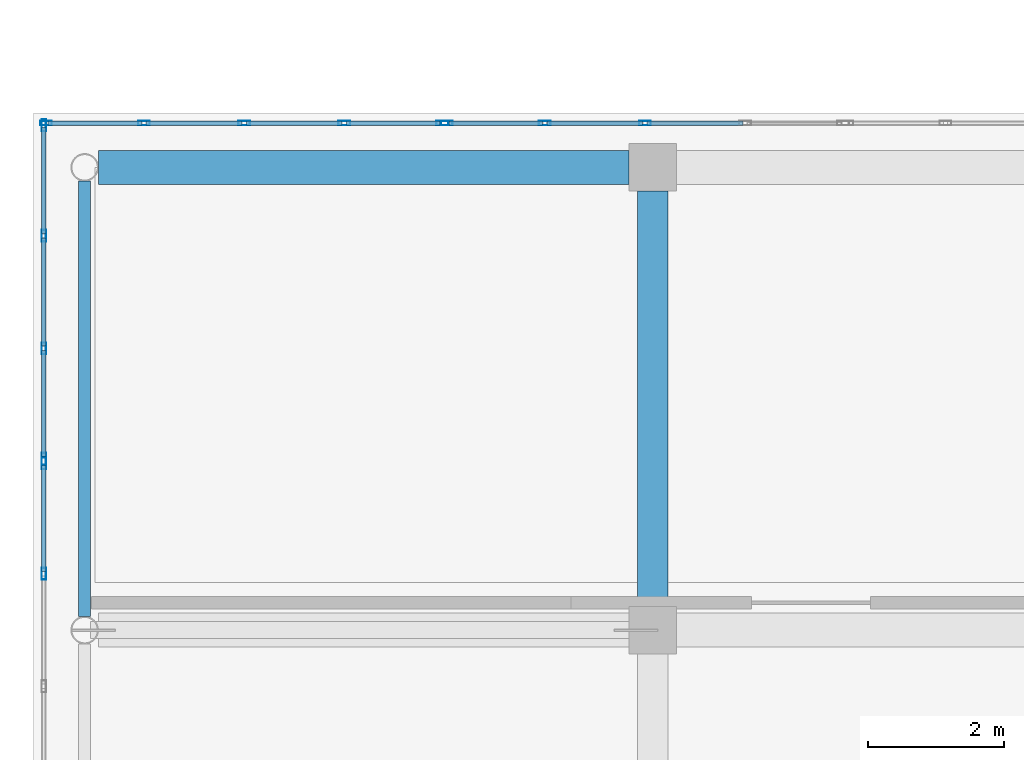
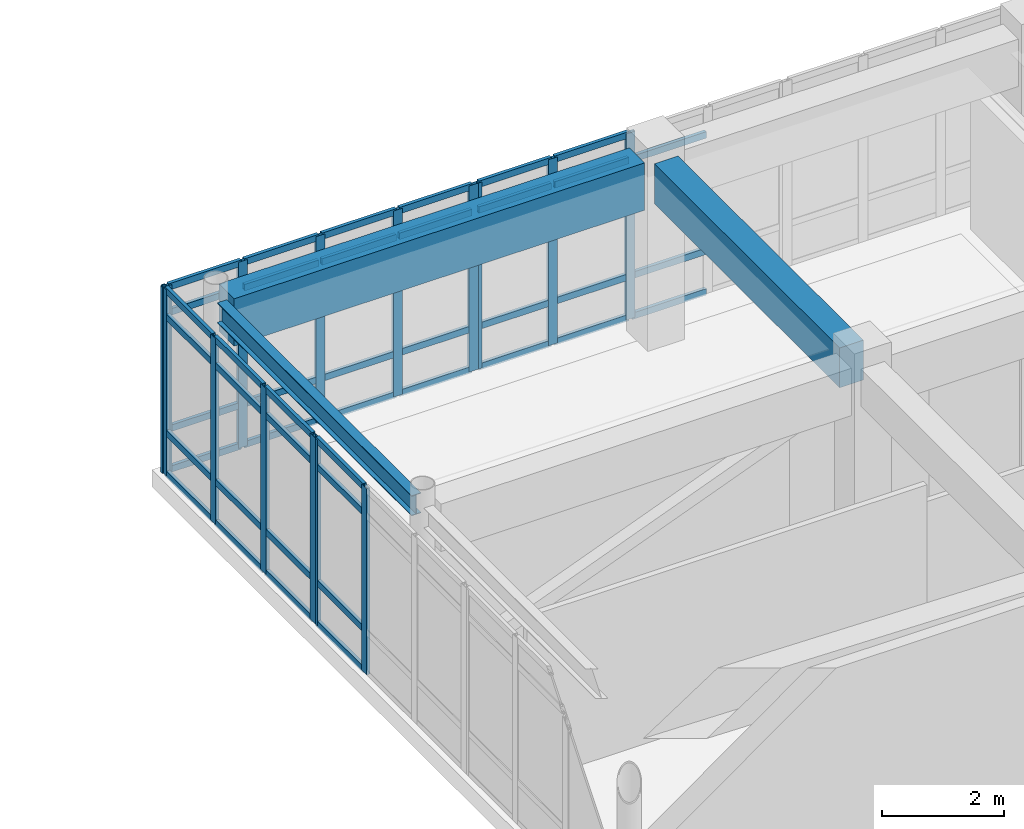
# One storey, part 21 of 146: 57 members, 3 beams, 4 elements without a shape of their own.
"""IFC4 building model written with IfcOpenShell, lengths in metres."""

from ifc_helpers import new_model, si_unit, direction, frame, origin, origin_2d, place, context, subcontext, project, spatial, rectangle, hollow_rectangle, i_section, extrude, material, layer, layer_set, material_profile, profile_set, type_object, element, aggregate, save


model = new_model("IFC4")

# Units and contexts
model_context = context("Model", 3, precision=1e-05, world=origin(), true_north=direction((0.0, 1.0)))
body_context = subcontext(model_context, "Body", "Model", "MODEL_VIEW")
ifc_project = project(units=[si_unit("LENGTHUNIT", "METRE"), si_unit("AREAUNIT", "SQUARE_METRE"), si_unit("VOLUMEUNIT", "CUBIC_METRE"), si_unit("PLANEANGLEUNIT", "RADIAN"), si_unit("MASSUNIT", "GRAM", prefix="KILO")], contexts=[model_context])

# Site, building, storey
site_placement = place(None, origin())
site = spatial("IfcSite", under=ifc_project, at=site_placement, CompositionType="ELEMENT")
building_placement = place(site_placement, origin())
building = spatial("IfcBuilding", under=site, at=building_placement, Name="Valcora Specialist Clinic", CompositionType="ELEMENT")
storey_placement = place(building_placement, frame((0.0, 0.0, 9.52001953125)))
storey = spatial("IfcBuildingStorey", under=building, at=storey_placement, Name="L02", CompositionType="ELEMENT", Elevation=9.52001953125)

# Beams
ifc_material_1 = material(Name="Steel ASTM A992 Grade 50", Category="steel")
ifc_material_profile_1 = material_profile(ifc_material_1, i_section(OverallWidth=0.177978515625, OverallDepth=0.406005859375, WebThickness=0.008056640625, FlangeThickness=0.012939453125, at=origin_2d()), Name="ST-IR-410X180")
ifc_profile_set_1 = profile_set([ifc_material_profile_1], Name="Steel ASTM A992 Grade 50")
beam_type_1 = type_object("IfcBeamType", Name="TY-BM-IR410", PredefinedType="SPANDREL", material=ifc_profile_set_1)
beam_1_placement = place(storey_placement, frame((0.75, 15.403076171875, 3.528076171875), z_axis=(0.0, 1.0, 0.0), x_axis=(-1.0, 0.0, 0.0)))
element("IfcBeam", 1, at=beam_1_placement, inside=storey, type_object=beam_type_1, Name="Beam BM-L02-1010", PredefinedType="SPANDREL", context=body_context, shape_type="SweptSolid", body=[
    extrude(i_section(OverallWidth=0.177978515625, OverallDepth=0.406005859375, WebThickness=0.008056640625, FlangeThickness=0.012939453125, at=origin_2d()), origin(), (0.0, 0.0, 1.0), 6.39404296875),
])
ifc_material_2 = material(Name="Concrete C40/50", Category="concrete")
ifc_material_profile_2 = material_profile(ifc_material_2, rectangle(XDim=0.449951171875, YDim=0.800048828125, at=origin_2d()), Name="RC-BM-450X800")
ifc_profile_set_2 = profile_set([ifc_material_profile_2], Name="Concrete C40/50")
beam_type_2 = type_object("IfcBeamType", Name="TY-BM-RC450X800", PredefinedType="BEAM", material=ifc_profile_set_2)
beam_2_placement = place(storey_placement, frame((9.10009765625, 15.550048828125, 3.3349609375), z_axis=(0.0, 1.0, 0.0), x_axis=(-1.0, 0.0, 0.0)))
element("IfcBeam", 2, at=beam_2_placement, inside=storey, type_object=beam_type_2, Name="Beam BM-L02-1012", PredefinedType="BEAM", context=body_context, shape_type="SweptSolid", body=[
    extrude(rectangle(XDim=0.449951171875, YDim=0.800048828125, at=origin_2d()), origin(), (0.0, 0.0, 1.0), 6.099853515625),
])
ifc_material_profile_3 = material_profile(ifc_material_2, rectangle(XDim=0.5, YDim=0.949951171875, at=origin_2d()), Name="RC-BM-500X950")
ifc_profile_set_3 = profile_set([ifc_material_profile_3], Name="Concrete C40/50")
beam_type_3 = type_object("IfcBeamType", Name="TY-BM-TR500X950", PredefinedType="BEAM", material=ifc_profile_set_3)
beam_3_placement = place(storey_placement, frame((0.952880859375, 22.0, 3.260009765625), z_axis=(1.0, 0.0, 0.0), x_axis=(0.0, 1.0, 0.0)))
element("IfcBeam", 3, at=beam_3_placement, inside=storey, type_object=beam_type_3, Name="Beam BM-L02-1002", PredefinedType="BEAM", context=body_context, shape_type="SweptSolid", body=[
    extrude(rectangle(XDim=0.5, YDim=0.949951171875, at=origin_2d()), origin(), (0.0, 0.0, 1.0), 7.797119140625),
])

# Curtain wall, members
ifc_material_3 = material(Name="Anodized Bronze Aluminium 6063-T6", Category="aluminium")
ifc_layer = layer(ifc_material_3, 0.175048828125)
ifc_layer_set = layer_set([ifc_layer], Name="Anodized Bronze Aluminium 6063-T6")
curtain_wall_type = type_object("IfcCurtainWallType", Name="TY-CW-V5F15", PredefinedType="NOTDEFINED", material=ifc_layer_set)
curtain_wall_1_placement = place(storey_placement, origin())
curtain_wall_1 = element("IfcCurtainWall", 4, at=curtain_wall_1_placement, inside=storey, type_object=curtain_wall_type, Name="Curtain wall CW-L02-141", PredefinedType="NOTDEFINED")
ifc_material_profile_4 = material_profile(ifc_material_3, hollow_rectangle(XDim=0.06494140625, YDim=0.175048828125, WallThickness=0.00390625, at=origin_2d()), Name="AL-MUL-65X175")
ifc_profile_set_4 = profile_set([ifc_material_profile_4], Name="Anodized Bronze Aluminium 6063-T6")
member_type_1 = type_object("IfcMemberType", Name="TY-CWM-65X175", PredefinedType="MULLION", material=ifc_profile_set_4)
member_1_placement = place(storey_placement, frame((0.14990234375, 16.02783203125, 0.0), z_axis=(0.0, 0.0, 1.0), x_axis=(-1.0, 0.0, 0.0)))
member_1 = element("IfcMember", 5, at=member_1_placement, type_object=member_type_1, Name="CW-V5F-15 mullion 3", PredefinedType="MULLION", context=body_context, shape_type="SweptSolid", body=[
    extrude(hollow_rectangle(XDim=0.06494140625, YDim=0.175048828125, WallThickness=0.00390625, at=origin_2d()), origin(), (0.0, 0.0, 1.0), 3.73486328125),
])
member_2_placement = place(storey_placement, frame((0.14990234375, 17.65087890625, 0.0), z_axis=(0.0, 0.0, 1.0), x_axis=(-1.0, 0.0, 0.0)))
member_2 = element("IfcMember", 6, at=member_2_placement, type_object=member_type_1, Name="CW-V5F-15 mullion 4", PredefinedType="MULLION", context=body_context, shape_type="SweptSolid", body=[
    extrude(hollow_rectangle(XDim=0.06494140625, YDim=0.175048828125, WallThickness=0.00390625, at=origin_2d()), origin(), (0.0, 0.0, 1.0), 3.73486328125),
])

curtain_wall_2_placement = place(storey_placement, origin())
curtain_wall_2 = element("IfcCurtainWall", 7, at=curtain_wall_2_placement, inside=storey, type_object=curtain_wall_type, Name="Curtain wall CW-L02-142", PredefinedType="NOTDEFINED")
member_3_placement = place(storey_placement, frame((0.14990234375, 17.7158203125, 0.0), z_axis=(0.0, 0.0, 1.0), x_axis=(-1.0, 0.0, 0.0)))
member_3 = element("IfcMember", 8, at=member_3_placement, type_object=member_type_1, Name="CW-V5F-15 mullion 1", PredefinedType="MULLION", context=body_context, shape_type="SweptSolid", body=[
    extrude(hollow_rectangle(XDim=0.06494140625, YDim=0.175048828125, WallThickness=0.00390625, at=origin_2d()), origin(), (0.0, 0.0, 1.0), 3.73486328125),
])
member_4_placement = place(storey_placement, frame((0.14990234375, 19.3388671875, 0.0), z_axis=(0.0, 0.0, 1.0), x_axis=(-1.0, 0.0, 0.0)))
member_4 = element("IfcMember", 9, at=member_4_placement, type_object=member_type_1, Name="CW-V5F-15 mullion 2", PredefinedType="MULLION", context=body_context, shape_type="SweptSolid", body=[
    extrude(hollow_rectangle(XDim=0.06494140625, YDim=0.175048828125, WallThickness=0.00390625, at=origin_2d()), origin(), (0.0, 0.0, 1.0), 3.73486328125),
])
member_5_placement = place(storey_placement, frame((0.14990234375, 20.994384765625, 0.0), z_axis=(0.0, 0.0, 1.0), x_axis=(-1.0, 0.0, 0.0)))
member_5 = element("IfcMember", 10, at=member_5_placement, type_object=member_type_1, Name="CW-V5F-15 mullion 3", PredefinedType="MULLION", context=body_context, shape_type="SweptSolid", body=[
    extrude(hollow_rectangle(XDim=0.06494140625, YDim=0.175048828125, WallThickness=0.00390625, at=origin_2d()), origin(), (0.0, 0.0, 1.0), 3.73486328125),
])
member_6_placement = place(storey_placement, frame((0.14990234375, 22.617431640625, 0.0), z_axis=(0.0, 0.0, 1.0), x_axis=(-1.0, 0.0, 0.0)))
member_6 = element("IfcMember", 11, at=member_6_placement, type_object=member_type_1, Name="CW-V5F-15 mullion 4", PredefinedType="MULLION", context=body_context, shape_type="SweptSolid", body=[
    extrude(hollow_rectangle(XDim=0.06494140625, YDim=0.175048828125, WallThickness=0.00390625, at=origin_2d()), origin(), (0.0, 0.0, 1.0), 3.73486328125),
])

curtain_wall_3_placement = place(storey_placement, origin())
curtain_wall_3 = element("IfcCurtainWall", 12, at=curtain_wall_3_placement, inside=storey, type_object=curtain_wall_type, Name="Curtain wall CW-L02-143", PredefinedType="NOTDEFINED")
member_7_placement = place(storey_placement, frame((0.1826171875, 22.64990234375, 0.0), z_axis=(0.0, 0.0, 1.0), x_axis=(0.0, 1.0, 0.0)))
member_7 = element("IfcMember", 13, at=member_7_placement, type_object=member_type_1, Name="CW-V5F-15 mullion 1", PredefinedType="MULLION", context=body_context, shape_type="SweptSolid", body=[
    extrude(hollow_rectangle(XDim=0.06494140625, YDim=0.175048828125, WallThickness=0.00390625, at=origin_2d()), origin(), (0.0, 0.0, 1.0), 3.73486328125),
])
member_8_placement = place(storey_placement, frame((1.622314453125, 22.64990234375, 0.0), z_axis=(0.0, 0.0, 1.0), x_axis=(0.0, 1.0, 0.0)))
member_8 = element("IfcMember", 14, at=member_8_placement, type_object=member_type_1, Name="CW-V5F-15 mullion 2", PredefinedType="MULLION", context=body_context, shape_type="SweptSolid", body=[
    extrude(hollow_rectangle(XDim=0.06494140625, YDim=0.175048828125, WallThickness=0.00390625, at=origin_2d()), origin(), (0.0, 0.0, 1.0), 3.73486328125),
])
member_9_placement = place(storey_placement, frame((3.094482421875, 22.64990234375, 0.0), z_axis=(0.0, 0.0, 1.0), x_axis=(0.0, 1.0, 0.0)))
member_9 = element("IfcMember", 15, at=member_9_placement, type_object=member_type_1, Name="CW-V5F-15 mullion 3", PredefinedType="MULLION", context=body_context, shape_type="SweptSolid", body=[
    extrude(hollow_rectangle(XDim=0.06494140625, YDim=0.175048828125, WallThickness=0.00390625, at=origin_2d()), origin(), (0.0, 0.0, 1.0), 3.73486328125),
])
member_10_placement = place(storey_placement, frame((4.566650390625, 22.64990234375, 0.0), z_axis=(0.0, 0.0, 1.0), x_axis=(0.0, 1.0, 0.0)))
member_10 = element("IfcMember", 16, at=member_10_placement, type_object=member_type_1, Name="CW-V5F-15 mullion 4", PredefinedType="MULLION", context=body_context, shape_type="SweptSolid", body=[
    extrude(hollow_rectangle(XDim=0.06494140625, YDim=0.175048828125, WallThickness=0.00390625, at=origin_2d()), origin(), (0.0, 0.0, 1.0), 3.73486328125),
])
member_11_placement = place(storey_placement, frame((6.00634765625, 22.64990234375, 0.0), z_axis=(0.0, 0.0, 1.0), x_axis=(0.0, 1.0, 0.0)))
member_11 = element("IfcMember", 17, at=member_11_placement, type_object=member_type_1, Name="CW-V5F-15 mullion 5", PredefinedType="MULLION", context=body_context, shape_type="SweptSolid", body=[
    extrude(hollow_rectangle(XDim=0.06494140625, YDim=0.175048828125, WallThickness=0.00390625, at=origin_2d()), origin(), (0.0, 0.0, 1.0), 3.73486328125),
])

curtain_wall_4_placement = place(storey_placement, origin())
curtain_wall_4 = element("IfcCurtainWall", 18, at=curtain_wall_4_placement, inside=storey, type_object=curtain_wall_type, Name="Curtain wall CW-L02-144", PredefinedType="NOTDEFINED")
member_12_placement = place(storey_placement, frame((6.0712890625, 22.64990234375, 0.0), z_axis=(0.0, 0.0, 1.0), x_axis=(0.0, 1.0, 0.0)))
member_12 = element("IfcMember", 19, at=member_12_placement, type_object=member_type_1, Name="CW-V5F-15 mullion 1", PredefinedType="MULLION", context=body_context, shape_type="SweptSolid", body=[
    extrude(hollow_rectangle(XDim=0.06494140625, YDim=0.175048828125, WallThickness=0.00390625, at=origin_2d()), origin(), (0.0, 0.0, 1.0), 3.73486328125),
])
member_13_placement = place(storey_placement, frame((7.51123046875, 22.64990234375, 0.0), z_axis=(0.0, 0.0, 1.0), x_axis=(0.0, 1.0, 0.0)))
member_13 = element("IfcMember", 20, at=member_13_placement, type_object=member_type_1, Name="CW-V5F-15 mullion 2", PredefinedType="MULLION", context=body_context, shape_type="SweptSolid", body=[
    extrude(hollow_rectangle(XDim=0.06494140625, YDim=0.175048828125, WallThickness=0.00390625, at=origin_2d()), origin(), (0.0, 0.0, 1.0), 3.73486328125),
])
member_14_placement = place(storey_placement, frame((8.9833984375, 22.64990234375, 0.0), z_axis=(0.0, 0.0, 1.0), x_axis=(0.0, 1.0, 0.0)))
member_14 = element("IfcMember", 21, at=member_14_placement, type_object=member_type_1, Name="CW-V5F-15 mullion 3", PredefinedType="MULLION", context=body_context, shape_type="SweptSolid", body=[
    extrude(hollow_rectangle(XDim=0.06494140625, YDim=0.175048828125, WallThickness=0.00390625, at=origin_2d()), origin(), (0.0, 0.0, 1.0), 3.73486328125),
])

# Member
ifc_material_profile_5 = material_profile(ifc_material_3, hollow_rectangle(XDim=0.06494140625, YDim=0.1298828125, WallThickness=0.00390625, at=origin_2d()), Name="AL-TRN-65X130")
ifc_profile_set_5 = profile_set([ifc_material_profile_5], Name="Anodized Bronze Aluminium 6063-T6")
member_type_2 = type_object("IfcMemberType", Name="TY-CWT-65X130", PredefinedType="USERDEFINED", material=ifc_profile_set_5)
member_15_placement = place(storey_placement, frame((0.14990234375, 16.060302734375, 0.032470703125), z_axis=(0.0, 1.0, 0.0), x_axis=(-1.0, 0.0, 0.0)))
member_15 = element("IfcMember", 22, at=member_15_placement, type_object=member_type_2, Name="CW-V5F-15 transom 3.1", ObjectType="TRANSOM", PredefinedType="USERDEFINED", context=body_context, shape_type="SweptSolid", body=[
    extrude(hollow_rectangle(XDim=0.06494140625, YDim=0.1298828125, WallThickness=0.00390625, at=origin_2d()), origin(), (0.0, 0.0, 1.0), 1.55810546875),
])

member_16_placement = place(storey_placement, frame((0.14990234375, 16.060302734375, 0.85009765625), z_axis=(0.0, 1.0, 0.0), x_axis=(-1.0, 0.0, 0.0)))
member_16 = element("IfcMember", 23, at=member_16_placement, type_object=member_type_2, Name="CW-V5F-15 transom 3.2", ObjectType="TRANSOM", PredefinedType="USERDEFINED", context=body_context, shape_type="SweptSolid", body=[
    extrude(hollow_rectangle(XDim=0.06494140625, YDim=0.1298828125, WallThickness=0.00390625, at=origin_2d()), origin(), (0.0, 0.0, 1.0), 1.55810546875),
])

member_17_placement = place(storey_placement, frame((0.14990234375, 16.060302734375, 3.18505859375), z_axis=(0.0, 1.0, 0.0), x_axis=(-1.0, 0.0, 0.0)))
member_17 = element("IfcMember", 24, at=member_17_placement, type_object=member_type_2, Name="CW-V5F-15 transom 3.3", ObjectType="TRANSOM", PredefinedType="USERDEFINED", context=body_context, shape_type="SweptSolid", body=[
    extrude(hollow_rectangle(XDim=0.06494140625, YDim=0.1298828125, WallThickness=0.00390625, at=origin_2d()), origin(), (0.0, 0.0, 1.0), 1.55810546875),
])

member_18_placement = place(storey_placement, frame((0.14990234375, 16.060302734375, 3.702392578125), z_axis=(0.0, 1.0, 0.0), x_axis=(-1.0, 0.0, 0.0)))
member_18 = element("IfcMember", 25, at=member_18_placement, type_object=member_type_2, Name="CW-V5F-15 transom 3.4", ObjectType="TRANSOM", PredefinedType="USERDEFINED", context=body_context, shape_type="SweptSolid", body=[
    extrude(hollow_rectangle(XDim=0.06494140625, YDim=0.1298828125, WallThickness=0.00390625, at=origin_2d()), origin(), (0.0, 0.0, 1.0), 1.55810546875),
])

aggregate(curtain_wall_1, [member_1, member_2, member_15, member_16, member_17, member_18])

member_19_placement = place(storey_placement, frame((0.14990234375, 17.748291015625, 0.032470703125), z_axis=(0.0, 1.0, 0.0), x_axis=(-1.0, 0.0, 0.0)))
member_19 = element("IfcMember", 26, at=member_19_placement, type_object=member_type_2, Name="CW-V5F-15 transom 1.1", ObjectType="TRANSOM", PredefinedType="USERDEFINED", context=body_context, shape_type="SweptSolid", body=[
    extrude(hollow_rectangle(XDim=0.06494140625, YDim=0.1298828125, WallThickness=0.00390625, at=origin_2d()), origin(), (0.0, 0.0, 1.0), 1.55810546875),
])

member_20_placement = place(storey_placement, frame((0.14990234375, 17.748291015625, 0.85009765625), z_axis=(0.0, 1.0, 0.0), x_axis=(-1.0, 0.0, 0.0)))
member_20 = element("IfcMember", 27, at=member_20_placement, type_object=member_type_2, Name="CW-V5F-15 transom 1.2", ObjectType="TRANSOM", PredefinedType="USERDEFINED", context=body_context, shape_type="SweptSolid", body=[
    extrude(hollow_rectangle(XDim=0.06494140625, YDim=0.1298828125, WallThickness=0.00390625, at=origin_2d()), origin(), (0.0, 0.0, 1.0), 1.55810546875),
])

member_21_placement = place(storey_placement, frame((0.14990234375, 17.748291015625, 3.18505859375), z_axis=(0.0, 1.0, 0.0), x_axis=(-1.0, 0.0, 0.0)))
member_21 = element("IfcMember", 28, at=member_21_placement, type_object=member_type_2, Name="CW-V5F-15 transom 1.3", ObjectType="TRANSOM", PredefinedType="USERDEFINED", context=body_context, shape_type="SweptSolid", body=[
    extrude(hollow_rectangle(XDim=0.06494140625, YDim=0.1298828125, WallThickness=0.00390625, at=origin_2d()), origin(), (0.0, 0.0, 1.0), 1.55810546875),
])

member_22_placement = place(storey_placement, frame((0.14990234375, 17.748291015625, 3.702392578125), z_axis=(0.0, 1.0, 0.0), x_axis=(-1.0, 0.0, 0.0)))
member_22 = element("IfcMember", 29, at=member_22_placement, type_object=member_type_2, Name="CW-V5F-15 transom 1.4", ObjectType="TRANSOM", PredefinedType="USERDEFINED", context=body_context, shape_type="SweptSolid", body=[
    extrude(hollow_rectangle(XDim=0.06494140625, YDim=0.1298828125, WallThickness=0.00390625, at=origin_2d()), origin(), (0.0, 0.0, 1.0), 1.55810546875),
])

member_23_placement = place(storey_placement, frame((0.14990234375, 19.371337890625, 0.032470703125), z_axis=(0.0, 1.0, 0.0), x_axis=(-1.0, 0.0, 0.0)))
member_23 = element("IfcMember", 30, at=member_23_placement, type_object=member_type_2, Name="CW-V5F-15 transom 2.1", ObjectType="TRANSOM", PredefinedType="USERDEFINED", context=body_context, shape_type="SweptSolid", body=[
    extrude(hollow_rectangle(XDim=0.06494140625, YDim=0.1298828125, WallThickness=0.00390625, at=origin_2d()), origin(), (0.0, 0.0, 1.0), 1.590576171875),
])

member_24_placement = place(storey_placement, frame((0.14990234375, 19.371337890625, 0.85009765625), z_axis=(0.0, 1.0, 0.0), x_axis=(-1.0, 0.0, 0.0)))
member_24 = element("IfcMember", 31, at=member_24_placement, type_object=member_type_2, Name="CW-V5F-15 transom 2.2", ObjectType="TRANSOM", PredefinedType="USERDEFINED", context=body_context, shape_type="SweptSolid", body=[
    extrude(hollow_rectangle(XDim=0.06494140625, YDim=0.1298828125, WallThickness=0.00390625, at=origin_2d()), origin(), (0.0, 0.0, 1.0), 1.590576171875),
])

member_25_placement = place(storey_placement, frame((0.14990234375, 19.371337890625, 3.18505859375), z_axis=(0.0, 1.0, 0.0), x_axis=(-1.0, 0.0, 0.0)))
member_25 = element("IfcMember", 32, at=member_25_placement, type_object=member_type_2, Name="CW-V5F-15 transom 2.3", ObjectType="TRANSOM", PredefinedType="USERDEFINED", context=body_context, shape_type="SweptSolid", body=[
    extrude(hollow_rectangle(XDim=0.06494140625, YDim=0.1298828125, WallThickness=0.00390625, at=origin_2d()), origin(), (0.0, 0.0, 1.0), 1.590576171875),
])

member_26_placement = place(storey_placement, frame((0.14990234375, 19.371337890625, 3.702392578125), z_axis=(0.0, 1.0, 0.0), x_axis=(-1.0, 0.0, 0.0)))
member_26 = element("IfcMember", 33, at=member_26_placement, type_object=member_type_2, Name="CW-V5F-15 transom 2.4", ObjectType="TRANSOM", PredefinedType="USERDEFINED", context=body_context, shape_type="SweptSolid", body=[
    extrude(hollow_rectangle(XDim=0.06494140625, YDim=0.1298828125, WallThickness=0.00390625, at=origin_2d()), origin(), (0.0, 0.0, 1.0), 1.590576171875),
])

member_27_placement = place(storey_placement, frame((0.14990234375, 21.02685546875, 0.032470703125), z_axis=(0.0, 1.0, 0.0), x_axis=(-1.0, 0.0, 0.0)))
member_27 = element("IfcMember", 34, at=member_27_placement, type_object=member_type_2, Name="CW-V5F-15 transom 3.1", ObjectType="TRANSOM", PredefinedType="USERDEFINED", context=body_context, shape_type="SweptSolid", body=[
    extrude(hollow_rectangle(XDim=0.06494140625, YDim=0.1298828125, WallThickness=0.00390625, at=origin_2d()), origin(), (0.0, 0.0, 1.0), 1.55810546875),
])

member_28_placement = place(storey_placement, frame((0.14990234375, 21.02685546875, 0.85009765625), z_axis=(0.0, 1.0, 0.0), x_axis=(-1.0, 0.0, 0.0)))
member_28 = element("IfcMember", 35, at=member_28_placement, type_object=member_type_2, Name="CW-V5F-15 transom 3.2", ObjectType="TRANSOM", PredefinedType="USERDEFINED", context=body_context, shape_type="SweptSolid", body=[
    extrude(hollow_rectangle(XDim=0.06494140625, YDim=0.1298828125, WallThickness=0.00390625, at=origin_2d()), origin(), (0.0, 0.0, 1.0), 1.55810546875),
])

member_29_placement = place(storey_placement, frame((0.14990234375, 21.02685546875, 3.18505859375), z_axis=(0.0, 1.0, 0.0), x_axis=(-1.0, 0.0, 0.0)))
member_29 = element("IfcMember", 36, at=member_29_placement, type_object=member_type_2, Name="CW-V5F-15 transom 3.3", ObjectType="TRANSOM", PredefinedType="USERDEFINED", context=body_context, shape_type="SweptSolid", body=[
    extrude(hollow_rectangle(XDim=0.06494140625, YDim=0.1298828125, WallThickness=0.00390625, at=origin_2d()), origin(), (0.0, 0.0, 1.0), 1.55810546875),
])

member_30_placement = place(storey_placement, frame((0.14990234375, 21.02685546875, 3.702392578125), z_axis=(0.0, 1.0, 0.0), x_axis=(-1.0, 0.0, 0.0)))
member_30 = element("IfcMember", 37, at=member_30_placement, type_object=member_type_2, Name="CW-V5F-15 transom 3.4", ObjectType="TRANSOM", PredefinedType="USERDEFINED", context=body_context, shape_type="SweptSolid", body=[
    extrude(hollow_rectangle(XDim=0.06494140625, YDim=0.1298828125, WallThickness=0.00390625, at=origin_2d()), origin(), (0.0, 0.0, 1.0), 1.55810546875),
])

aggregate(curtain_wall_2, [member_3, member_4, member_5, member_6, member_19, member_20, member_21, member_22, member_23, member_24, member_25, member_26, member_27, member_28, member_29, member_30])

member_31_placement = place(storey_placement, frame((0.215087890625, 22.64990234375, 0.032470703125), z_axis=(1.0, 0.0, 0.0), x_axis=(0.0, 1.0, 0.0)))
member_31 = element("IfcMember", 38, at=member_31_placement, type_object=member_type_2, Name="CW-V5F-15 transom 1.1", ObjectType="TRANSOM", PredefinedType="USERDEFINED", context=body_context, shape_type="SweptSolid", body=[
    extrude(hollow_rectangle(XDim=0.06494140625, YDim=0.1298828125, WallThickness=0.00390625, at=origin_2d()), origin(), (0.0, 0.0, 1.0), 1.374755859375),
])

member_32_placement = place(storey_placement, frame((0.215087890625, 22.64990234375, 0.85009765625), z_axis=(1.0, 0.0, 0.0), x_axis=(0.0, 1.0, 0.0)))
member_32 = element("IfcMember", 39, at=member_32_placement, type_object=member_type_2, Name="CW-V5F-15 transom 1.2", ObjectType="TRANSOM", PredefinedType="USERDEFINED", context=body_context, shape_type="SweptSolid", body=[
    extrude(hollow_rectangle(XDim=0.06494140625, YDim=0.1298828125, WallThickness=0.00390625, at=origin_2d()), origin(), (0.0, 0.0, 1.0), 1.374755859375),
])

member_33_placement = place(storey_placement, frame((0.215087890625, 22.64990234375, 3.18505859375), z_axis=(1.0, 0.0, 0.0), x_axis=(0.0, 1.0, 0.0)))
member_33 = element("IfcMember", 40, at=member_33_placement, type_object=member_type_2, Name="CW-V5F-15 transom 1.3", ObjectType="TRANSOM", PredefinedType="USERDEFINED", context=body_context, shape_type="SweptSolid", body=[
    extrude(hollow_rectangle(XDim=0.06494140625, YDim=0.1298828125, WallThickness=0.00390625, at=origin_2d()), origin(), (0.0, 0.0, 1.0), 1.374755859375),
])

member_34_placement = place(storey_placement, frame((0.215087890625, 22.64990234375, 3.702392578125), z_axis=(1.0, 0.0, 0.0), x_axis=(0.0, 1.0, 0.0)))
member_34 = element("IfcMember", 41, at=member_34_placement, type_object=member_type_2, Name="CW-V5F-15 transom 1.4", ObjectType="TRANSOM", PredefinedType="USERDEFINED", context=body_context, shape_type="SweptSolid", body=[
    extrude(hollow_rectangle(XDim=0.06494140625, YDim=0.1298828125, WallThickness=0.00390625, at=origin_2d()), origin(), (0.0, 0.0, 1.0), 1.374755859375),
])

member_35_placement = place(storey_placement, frame((1.65478515625, 22.64990234375, 0.032470703125), z_axis=(1.0, 0.0, 0.0), x_axis=(0.0, 1.0, 0.0)))
member_35 = element("IfcMember", 42, at=member_35_placement, type_object=member_type_2, Name="CW-V5F-15 transom 2.1", ObjectType="TRANSOM", PredefinedType="USERDEFINED", context=body_context, shape_type="SweptSolid", body=[
    extrude(hollow_rectangle(XDim=0.06494140625, YDim=0.1298828125, WallThickness=0.00390625, at=origin_2d()), origin(), (0.0, 0.0, 1.0), 1.4072265625),
])

member_36_placement = place(storey_placement, frame((1.65478515625, 22.64990234375, 0.85009765625), z_axis=(1.0, 0.0, 0.0), x_axis=(0.0, 1.0, 0.0)))
member_36 = element("IfcMember", 43, at=member_36_placement, type_object=member_type_2, Name="CW-V5F-15 transom 2.2", ObjectType="TRANSOM", PredefinedType="USERDEFINED", context=body_context, shape_type="SweptSolid", body=[
    extrude(hollow_rectangle(XDim=0.06494140625, YDim=0.1298828125, WallThickness=0.00390625, at=origin_2d()), origin(), (0.0, 0.0, 1.0), 1.4072265625),
])

member_37_placement = place(storey_placement, frame((1.65478515625, 22.64990234375, 3.18505859375), z_axis=(1.0, 0.0, 0.0), x_axis=(0.0, 1.0, 0.0)))
member_37 = element("IfcMember", 44, at=member_37_placement, type_object=member_type_2, Name="CW-V5F-15 transom 2.3", ObjectType="TRANSOM", PredefinedType="USERDEFINED", context=body_context, shape_type="SweptSolid", body=[
    extrude(hollow_rectangle(XDim=0.06494140625, YDim=0.1298828125, WallThickness=0.00390625, at=origin_2d()), origin(), (0.0, 0.0, 1.0), 1.4072265625),
])

member_38_placement = place(storey_placement, frame((1.65478515625, 22.64990234375, 3.702392578125), z_axis=(1.0, 0.0, 0.0), x_axis=(0.0, 1.0, 0.0)))
member_38 = element("IfcMember", 45, at=member_38_placement, type_object=member_type_2, Name="CW-V5F-15 transom 2.4", ObjectType="TRANSOM", PredefinedType="USERDEFINED", context=body_context, shape_type="SweptSolid", body=[
    extrude(hollow_rectangle(XDim=0.06494140625, YDim=0.1298828125, WallThickness=0.00390625, at=origin_2d()), origin(), (0.0, 0.0, 1.0), 1.4072265625),
])

member_39_placement = place(storey_placement, frame((3.126953125, 22.64990234375, 0.032470703125), z_axis=(1.0, 0.0, 0.0), x_axis=(0.0, 1.0, 0.0)))
member_39 = element("IfcMember", 46, at=member_39_placement, type_object=member_type_2, Name="CW-V5F-15 transom 3.1", ObjectType="TRANSOM", PredefinedType="USERDEFINED", context=body_context, shape_type="SweptSolid", body=[
    extrude(hollow_rectangle(XDim=0.06494140625, YDim=0.1298828125, WallThickness=0.00390625, at=origin_2d()), origin(), (0.0, 0.0, 1.0), 1.4072265625),
])

member_40_placement = place(storey_placement, frame((3.126953125, 22.64990234375, 0.85009765625), z_axis=(1.0, 0.0, 0.0), x_axis=(0.0, 1.0, 0.0)))
member_40 = element("IfcMember", 47, at=member_40_placement, type_object=member_type_2, Name="CW-V5F-15 transom 3.2", ObjectType="TRANSOM", PredefinedType="USERDEFINED", context=body_context, shape_type="SweptSolid", body=[
    extrude(hollow_rectangle(XDim=0.06494140625, YDim=0.1298828125, WallThickness=0.00390625, at=origin_2d()), origin(), (0.0, 0.0, 1.0), 1.4072265625),
])

member_41_placement = place(storey_placement, frame((3.126953125, 22.64990234375, 3.18505859375), z_axis=(1.0, 0.0, 0.0), x_axis=(0.0, 1.0, 0.0)))
member_41 = element("IfcMember", 48, at=member_41_placement, type_object=member_type_2, Name="CW-V5F-15 transom 3.3", ObjectType="TRANSOM", PredefinedType="USERDEFINED", context=body_context, shape_type="SweptSolid", body=[
    extrude(hollow_rectangle(XDim=0.06494140625, YDim=0.1298828125, WallThickness=0.00390625, at=origin_2d()), origin(), (0.0, 0.0, 1.0), 1.4072265625),
])

member_42_placement = place(storey_placement, frame((3.126953125, 22.64990234375, 3.702392578125), z_axis=(1.0, 0.0, 0.0), x_axis=(0.0, 1.0, 0.0)))
member_42 = element("IfcMember", 49, at=member_42_placement, type_object=member_type_2, Name="CW-V5F-15 transom 3.4", ObjectType="TRANSOM", PredefinedType="USERDEFINED", context=body_context, shape_type="SweptSolid", body=[
    extrude(hollow_rectangle(XDim=0.06494140625, YDim=0.1298828125, WallThickness=0.00390625, at=origin_2d()), origin(), (0.0, 0.0, 1.0), 1.4072265625),
])

member_43_placement = place(storey_placement, frame((4.59912109375, 22.64990234375, 0.032470703125), z_axis=(1.0, 0.0, 0.0), x_axis=(0.0, 1.0, 0.0)))
member_43 = element("IfcMember", 50, at=member_43_placement, type_object=member_type_2, Name="CW-V5F-15 transom 4.1", ObjectType="TRANSOM", PredefinedType="USERDEFINED", context=body_context, shape_type="SweptSolid", body=[
    extrude(hollow_rectangle(XDim=0.06494140625, YDim=0.1298828125, WallThickness=0.00390625, at=origin_2d()), origin(), (0.0, 0.0, 1.0), 1.374755859375),
])

member_44_placement = place(storey_placement, frame((4.59912109375, 22.64990234375, 0.85009765625), z_axis=(1.0, 0.0, 0.0), x_axis=(0.0, 1.0, 0.0)))
member_44 = element("IfcMember", 51, at=member_44_placement, type_object=member_type_2, Name="CW-V5F-15 transom 4.2", ObjectType="TRANSOM", PredefinedType="USERDEFINED", context=body_context, shape_type="SweptSolid", body=[
    extrude(hollow_rectangle(XDim=0.06494140625, YDim=0.1298828125, WallThickness=0.00390625, at=origin_2d()), origin(), (0.0, 0.0, 1.0), 1.374755859375),
])

member_45_placement = place(storey_placement, frame((4.59912109375, 22.64990234375, 3.18505859375), z_axis=(1.0, 0.0, 0.0), x_axis=(0.0, 1.0, 0.0)))
member_45 = element("IfcMember", 52, at=member_45_placement, type_object=member_type_2, Name="CW-V5F-15 transom 4.3", ObjectType="TRANSOM", PredefinedType="USERDEFINED", context=body_context, shape_type="SweptSolid", body=[
    extrude(hollow_rectangle(XDim=0.06494140625, YDim=0.1298828125, WallThickness=0.00390625, at=origin_2d()), origin(), (0.0, 0.0, 1.0), 1.374755859375),
])

member_46_placement = place(storey_placement, frame((4.59912109375, 22.64990234375, 3.702392578125), z_axis=(1.0, 0.0, 0.0), x_axis=(0.0, 1.0, 0.0)))
member_46 = element("IfcMember", 53, at=member_46_placement, type_object=member_type_2, Name="CW-V5F-15 transom 4.4", ObjectType="TRANSOM", PredefinedType="USERDEFINED", context=body_context, shape_type="SweptSolid", body=[
    extrude(hollow_rectangle(XDim=0.06494140625, YDim=0.1298828125, WallThickness=0.00390625, at=origin_2d()), origin(), (0.0, 0.0, 1.0), 1.374755859375),
])

aggregate(curtain_wall_3, [member_7, member_8, member_9, member_10, member_11, member_31, member_32, member_33, member_34, member_35, member_36, member_37, member_38, member_39, member_40, member_41, member_42, member_43, member_44, member_45, member_46])

member_47_placement = place(storey_placement, frame((6.10400390625, 22.64990234375, 0.032470703125), z_axis=(1.0, 0.0, 0.0), x_axis=(0.0, 1.0, 0.0)))
member_47 = element("IfcMember", 54, at=member_47_placement, type_object=member_type_2, Name="CW-V5F-15 transom 1.1", ObjectType="TRANSOM", PredefinedType="USERDEFINED", context=body_context, shape_type="SweptSolid", body=[
    extrude(hollow_rectangle(XDim=0.06494140625, YDim=0.1298828125, WallThickness=0.00390625, at=origin_2d()), origin(), (0.0, 0.0, 1.0), 1.37451171875),
])

member_48_placement = place(storey_placement, frame((6.10400390625, 22.64990234375, 0.85009765625), z_axis=(1.0, 0.0, 0.0), x_axis=(0.0, 1.0, 0.0)))
member_48 = element("IfcMember", 55, at=member_48_placement, type_object=member_type_2, Name="CW-V5F-15 transom 1.2", ObjectType="TRANSOM", PredefinedType="USERDEFINED", context=body_context, shape_type="SweptSolid", body=[
    extrude(hollow_rectangle(XDim=0.06494140625, YDim=0.1298828125, WallThickness=0.00390625, at=origin_2d()), origin(), (0.0, 0.0, 1.0), 1.37451171875),
])

member_49_placement = place(storey_placement, frame((6.10400390625, 22.64990234375, 3.18505859375), z_axis=(1.0, 0.0, 0.0), x_axis=(0.0, 1.0, 0.0)))
member_49 = element("IfcMember", 56, at=member_49_placement, type_object=member_type_2, Name="CW-V5F-15 transom 1.3", ObjectType="TRANSOM", PredefinedType="USERDEFINED", context=body_context, shape_type="SweptSolid", body=[
    extrude(hollow_rectangle(XDim=0.06494140625, YDim=0.1298828125, WallThickness=0.00390625, at=origin_2d()), origin(), (0.0, 0.0, 1.0), 1.37451171875),
])

member_50_placement = place(storey_placement, frame((6.10400390625, 22.64990234375, 3.702392578125), z_axis=(1.0, 0.0, 0.0), x_axis=(0.0, 1.0, 0.0)))
member_50 = element("IfcMember", 57, at=member_50_placement, type_object=member_type_2, Name="CW-V5F-15 transom 1.4", ObjectType="TRANSOM", PredefinedType="USERDEFINED", context=body_context, shape_type="SweptSolid", body=[
    extrude(hollow_rectangle(XDim=0.06494140625, YDim=0.1298828125, WallThickness=0.00390625, at=origin_2d()), origin(), (0.0, 0.0, 1.0), 1.37451171875),
])

member_51_placement = place(storey_placement, frame((7.543701171875, 22.64990234375, 0.032470703125), z_axis=(1.0, 0.0, 0.0), x_axis=(0.0, 1.0, 0.0)))
member_51 = element("IfcMember", 58, at=member_51_placement, type_object=member_type_2, Name="CW-V5F-15 transom 2.1", ObjectType="TRANSOM", PredefinedType="USERDEFINED", context=body_context, shape_type="SweptSolid", body=[
    extrude(hollow_rectangle(XDim=0.06494140625, YDim=0.1298828125, WallThickness=0.00390625, at=origin_2d()), origin(), (0.0, 0.0, 1.0), 1.4072265625),
])

member_52_placement = place(storey_placement, frame((7.543701171875, 22.64990234375, 0.85009765625), z_axis=(1.0, 0.0, 0.0), x_axis=(0.0, 1.0, 0.0)))
member_52 = element("IfcMember", 59, at=member_52_placement, type_object=member_type_2, Name="CW-V5F-15 transom 2.2", ObjectType="TRANSOM", PredefinedType="USERDEFINED", context=body_context, shape_type="SweptSolid", body=[
    extrude(hollow_rectangle(XDim=0.06494140625, YDim=0.1298828125, WallThickness=0.00390625, at=origin_2d()), origin(), (0.0, 0.0, 1.0), 1.4072265625),
])

member_53_placement = place(storey_placement, frame((7.543701171875, 22.64990234375, 3.18505859375), z_axis=(1.0, 0.0, 0.0), x_axis=(0.0, 1.0, 0.0)))
member_53 = element("IfcMember", 60, at=member_53_placement, type_object=member_type_2, Name="CW-V5F-15 transom 2.3", ObjectType="TRANSOM", PredefinedType="USERDEFINED", context=body_context, shape_type="SweptSolid", body=[
    extrude(hollow_rectangle(XDim=0.06494140625, YDim=0.1298828125, WallThickness=0.00390625, at=origin_2d()), origin(), (0.0, 0.0, 1.0), 1.4072265625),
])

member_54_placement = place(storey_placement, frame((7.543701171875, 22.64990234375, 3.702392578125), z_axis=(1.0, 0.0, 0.0), x_axis=(0.0, 1.0, 0.0)))
member_54 = element("IfcMember", 61, at=member_54_placement, type_object=member_type_2, Name="CW-V5F-15 transom 2.4", ObjectType="TRANSOM", PredefinedType="USERDEFINED", context=body_context, shape_type="SweptSolid", body=[
    extrude(hollow_rectangle(XDim=0.06494140625, YDim=0.1298828125, WallThickness=0.00390625, at=origin_2d()), origin(), (0.0, 0.0, 1.0), 1.4072265625),
])

member_55_placement = place(storey_placement, frame((9.015869140625, 22.64990234375, 0.032470703125), z_axis=(1.0, 0.0, 0.0), x_axis=(0.0, 1.0, 0.0)))
member_55 = element("IfcMember", 62, at=member_55_placement, type_object=member_type_2, Name="CW-V5F-15 transom 3.1", ObjectType="TRANSOM", PredefinedType="USERDEFINED", context=body_context, shape_type="SweptSolid", body=[
    extrude(hollow_rectangle(XDim=0.06494140625, YDim=0.1298828125, WallThickness=0.00390625, at=origin_2d()), origin(), (0.0, 0.0, 1.0), 1.4072265625),
])

member_56_placement = place(storey_placement, frame((9.015869140625, 22.64990234375, 0.85009765625), z_axis=(1.0, 0.0, 0.0), x_axis=(0.0, 1.0, 0.0)))
member_56 = element("IfcMember", 63, at=member_56_placement, type_object=member_type_2, Name="CW-V5F-15 transom 3.2", ObjectType="TRANSOM", PredefinedType="USERDEFINED", context=body_context, shape_type="SweptSolid", body=[
    extrude(hollow_rectangle(XDim=0.06494140625, YDim=0.1298828125, WallThickness=0.00390625, at=origin_2d()), origin(), (0.0, 0.0, 1.0), 1.4072265625),
])

member_57_placement = place(storey_placement, frame((9.015869140625, 22.64990234375, 3.18505859375), z_axis=(1.0, 0.0, 0.0), x_axis=(0.0, 1.0, 0.0)))
member_57 = element("IfcMember", 64, at=member_57_placement, type_object=member_type_2, Name="CW-V5F-15 transom 3.3", ObjectType="TRANSOM", PredefinedType="USERDEFINED", context=body_context, shape_type="SweptSolid", body=[
    extrude(hollow_rectangle(XDim=0.06494140625, YDim=0.1298828125, WallThickness=0.00390625, at=origin_2d()), origin(), (0.0, 0.0, 1.0), 1.4072265625),
])

aggregate(curtain_wall_4, [member_12, member_13, member_14, member_47, member_48, member_49, member_50, member_51, member_52, member_53, member_54, member_55, member_56, member_57])

save(model, "model.ifc")
